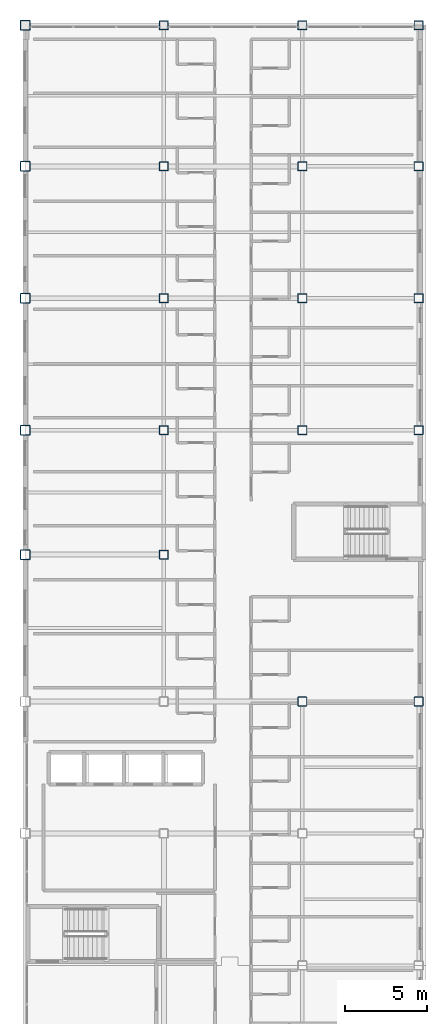
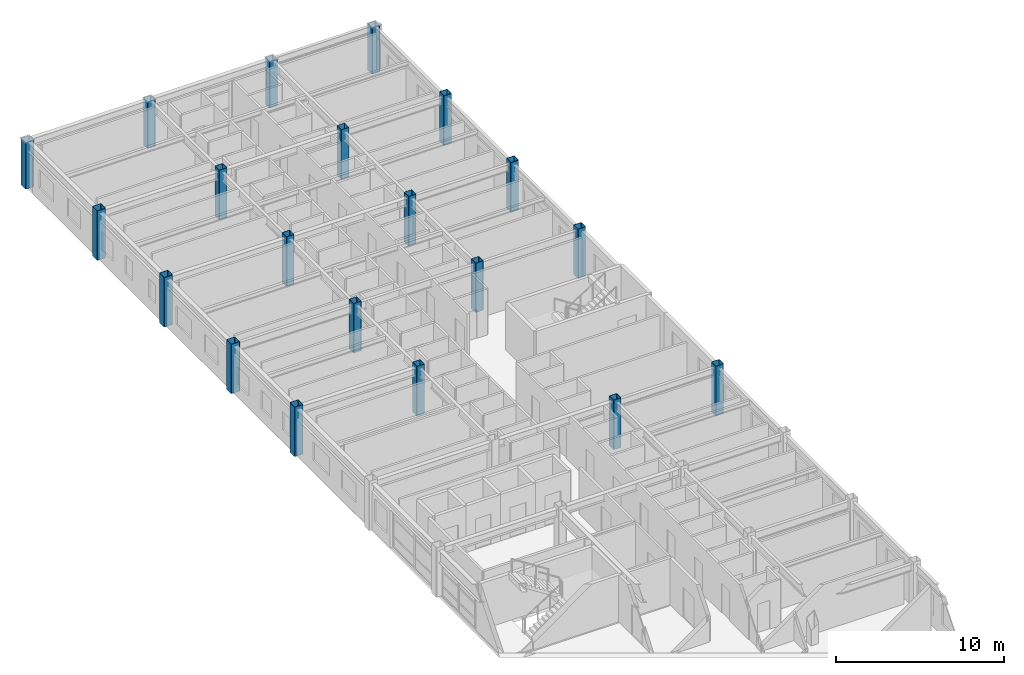
# One storey, part 2 of 36: 20 columns.
"""IFC4 building model written with IfcOpenShell, lengths in metres."""

from ifc_helpers import new_model, si_unit, direction, frame, origin, origin_2d, place, context, subcontext, project, spatial, hollow_rectangle, extrude, material, material_profile, profile_set, type_object, element, save


model = new_model("IFC4")

# Units and contexts
model_context = context("Model", 3, precision=1e-05, world=origin(), true_north=direction((0.0, 1.0)))
body_context = subcontext(model_context, "Body", "Model", "MODEL_VIEW")
ifc_project = project(units=[si_unit("LENGTHUNIT", "METRE"), si_unit("AREAUNIT", "SQUARE_METRE"), si_unit("VOLUMEUNIT", "CUBIC_METRE"), si_unit("PLANEANGLEUNIT", "RADIAN"), si_unit("MASSUNIT", "GRAM", prefix="KILO")], contexts=[model_context])

# Site, building, storey
site_placement = place(None, origin())
site = spatial("IfcSite", under=ifc_project, at=site_placement, CompositionType="ELEMENT")
building_placement = place(site_placement, origin())
building = spatial("IfcBuilding", under=site, at=building_placement, Name="Kazehara Bluff Congress Hotel", CompositionType="ELEMENT")
storey_placement = place(building_placement, frame((0.0, 0.0, 28.199951171875)))
storey = spatial("IfcBuildingStorey", under=building, at=storey_placement, Name="L06", CompositionType="ELEMENT", Elevation=28.199951171875)

# Columns
ifc_material_1 = material(Name="Steel BCR295", Category="steel")
ifc_material_profile_1 = material_profile(ifc_material_1, hollow_rectangle(XDim=0.60009765625, YDim=0.60009765625, WallThickness=0.02490234375, InnerFilletRadius=0.02490234375, OuterFilletRadius=0.050048828125, at=origin_2d()))
ifc_profile_set_1 = profile_set([ifc_material_profile_1], Name="Steel BCR295")
column_type_1 = type_object("IfcColumnType", Name="TP-C-05", PredefinedType="COLUMN", material=ifc_profile_set_1)
for number, where, z_axis, x_axis, name in (
    (1, (143.699951171875, 73.35009765625, 0.0), (0.0, 0.0, 1.0), (1.0, 0.0, 0.0), "L06 column C-05 (143.70,73.35)"),
    (2, (143.699951171875, 80.89990234375, 0.0), (0.0, 0.0, 1.0), (1.0, 0.0, 0.0), "L06 column C-05 (143.70,80.90)"),
    (3, (143.699951171875, 88.89990234375, 0.0), (0.0, 0.0, 1.0), (1.0, 0.0, 0.0), "L06 column C-05 (143.70,88.90)"),
    (4, (143.699951171875, 96.89990234375, 0.0), (0.0, 0.0, 1.0), (1.0, 0.0, 0.0), "L06 column C-05 (143.70,96.90)"),
):
    element("IfcColumn", number, at=place(storey_placement, frame(where, z_axis=z_axis, x_axis=x_axis)), inside=storey, type_object=column_type_1, Name=name, PredefinedType="COLUMN", context=body_context, shape_type="SweptSolid", body=[
        extrude(hollow_rectangle(XDim=0.60009765625, YDim=0.60009765625, WallThickness=0.02490234375, InnerFilletRadius=0.02490234375, OuterFilletRadius=0.050048828125, at=origin_2d()), origin(), (0.0, 0.0, 1.0), 3.60009765625),
    ])
column_1_placement = place(storey_placement, frame((143.699951171875, 105.449951171875, 0.0), z_axis=(0.0, 0.0, 1.0), x_axis=(1.0, 0.0, 0.0)))
element("IfcColumn", 5, at=column_1_placement, inside=storey, type_object=column_type_1, Name="L06 column C-05 (143.70,105.45)", PredefinedType="COLUMN", context=body_context, shape_type="SweptSolid", body=[
    extrude(hollow_rectangle(XDim=0.60009765625, YDim=0.60009765625, WallThickness=0.02490234375, InnerFilletRadius=0.02490234375, OuterFilletRadius=0.050048828125, at=origin_2d()), origin(), (0.0, 0.0, 1.0), 3.380126953125),
])
ifc_material_2 = material(Name="Steel BCR295", Category="steel")
ifc_material_profile_2 = material_profile(ifc_material_2, hollow_rectangle(XDim=0.550048828125, YDim=0.550048828125, WallThickness=0.02197265625, InnerFilletRadius=0.02197265625, OuterFilletRadius=0.0439453125, at=origin_2d()))
ifc_profile_set_2 = profile_set([ifc_material_profile_2], Name="Steel BCR295")
column_type_2 = type_object("IfcColumnType", Name="TP-C-06", PredefinedType="COLUMN", material=ifc_profile_set_2)
for number, where, z_axis, x_axis, name in (
    (6, (152.10009765625, 73.35009765625, 0.0), (0.0, 0.0, 1.0), (1.0, 0.0, 0.0), "L06 column C-06 (152.10,73.35)"),
    (7, (152.10009765625, 80.89990234375, 0.0), (0.0, 0.0, 1.0), (1.0, 0.0, 0.0), "L06 column C-06 (152.10,80.90)"),
    (8, (152.10009765625, 88.89990234375, 0.0), (0.0, 0.0, 1.0), (1.0, 0.0, 0.0), "L06 column C-06 (152.10,88.90)"),
    (9, (152.10009765625, 96.89990234375, 0.0), (0.0, 0.0, 1.0), (1.0, 0.0, 0.0), "L06 column C-06 (152.10,96.90)"),
):
    element("IfcColumn", number, at=place(storey_placement, frame(where, z_axis=z_axis, x_axis=x_axis)), inside=storey, type_object=column_type_2, Name=name, PredefinedType="COLUMN", context=body_context, shape_type="SweptSolid", body=[
        extrude(hollow_rectangle(XDim=0.550048828125, YDim=0.550048828125, WallThickness=0.02197265625, InnerFilletRadius=0.02197265625, OuterFilletRadius=0.0439453125, at=origin_2d()), origin(), (0.0, 0.0, 1.0), 3.60009765625),
    ])
column_2_placement = place(storey_placement, frame((152.10009765625, 105.449951171875, 0.0), z_axis=(0.0, 0.0, 1.0), x_axis=(1.0, 0.0, 0.0)))
element("IfcColumn", 10, at=column_2_placement, inside=storey, type_object=column_type_2, Name="L06 column C-06 (152.10,105.45)", PredefinedType="COLUMN", context=body_context, shape_type="SweptSolid", body=[
    extrude(hollow_rectangle(XDim=0.550048828125, YDim=0.550048828125, WallThickness=0.02197265625, InnerFilletRadius=0.02197265625, OuterFilletRadius=0.0439453125, at=origin_2d()), origin(), (0.0, 0.0, 1.0), 3.380126953125),
])
for number, where, z_axis, x_axis, name in (
    (11, (160.5, 64.449951171875, 0.0), (0.0, 0.0, 1.0), (1.0, 0.0, 0.0), "L06 column C-06 (160.50,64.45)"),
    (12, (160.5, 80.89990234375, 0.0), (0.0, 0.0, 1.0), (1.0, 0.0, 0.0), "L06 column C-06 (160.50,80.90)"),
    (13, (160.5, 88.89990234375, 0.0), (0.0, 0.0, 1.0), (1.0, 0.0, 0.0), "L06 column C-06 (160.50,88.90)"),
    (14, (160.5, 96.89990234375, 0.0), (0.0, 0.0, 1.0), (1.0, 0.0, 0.0), "L06 column C-06 (160.50,96.90)"),
):
    element("IfcColumn", number, at=place(storey_placement, frame(where, z_axis=z_axis, x_axis=x_axis)), inside=storey, type_object=column_type_2, Name=name, PredefinedType="COLUMN", context=body_context, shape_type="SweptSolid", body=[
        extrude(hollow_rectangle(XDim=0.550048828125, YDim=0.550048828125, WallThickness=0.02197265625, InnerFilletRadius=0.02197265625, OuterFilletRadius=0.0439453125, at=origin_2d()), origin(), (0.0, 0.0, 1.0), 3.60009765625),
    ])
column_3_placement = place(storey_placement, frame((160.5, 105.449951171875, 0.0), z_axis=(0.0, 0.0, 1.0), x_axis=(1.0, 0.0, 0.0)))
element("IfcColumn", 15, at=column_3_placement, inside=storey, type_object=column_type_2, Name="L06 column C-06 (160.50,105.45)", PredefinedType="COLUMN", context=body_context, shape_type="SweptSolid", body=[
    extrude(hollow_rectangle(XDim=0.550048828125, YDim=0.550048828125, WallThickness=0.02197265625, InnerFilletRadius=0.02197265625, OuterFilletRadius=0.0439453125, at=origin_2d()), origin(), (0.0, 0.0, 1.0), 3.380126953125),
])
for number, where, z_axis, x_axis, name in (
    (16, (167.550048828125, 64.449951171875, 0.0), (0.0, 0.0, 1.0), (1.0, 0.0, 0.0), "L06 column C-06 (167.55,64.45)"),
    (17, (167.550048828125, 80.89990234375, 0.0), (0.0, 0.0, 1.0), (1.0, 0.0, 0.0), "L06 column C-06 (167.55,80.90)"),
    (18, (167.550048828125, 88.89990234375, 0.0), (0.0, 0.0, 1.0), (1.0, 0.0, 0.0), "L06 column C-06 (167.55,88.90)"),
    (19, (167.550048828125, 96.89990234375, 0.0), (0.0, 0.0, 1.0), (1.0, 0.0, 0.0), "L06 column C-06 (167.55,96.90)"),
):
    element("IfcColumn", number, at=place(storey_placement, frame(where, z_axis=z_axis, x_axis=x_axis)), inside=storey, type_object=column_type_2, Name=name, PredefinedType="COLUMN", context=body_context, shape_type="SweptSolid", body=[
        extrude(hollow_rectangle(XDim=0.550048828125, YDim=0.550048828125, WallThickness=0.02197265625, InnerFilletRadius=0.02197265625, OuterFilletRadius=0.0439453125, at=origin_2d()), origin(), (0.0, 0.0, 1.0), 3.60009765625),
    ])
column_4_placement = place(storey_placement, frame((167.550048828125, 105.449951171875, 0.0), z_axis=(0.0, 0.0, 1.0), x_axis=(1.0, 0.0, 0.0)))
element("IfcColumn", 20, at=column_4_placement, inside=storey, type_object=column_type_2, Name="L06 column C-06 (167.55,105.45)", PredefinedType="COLUMN", context=body_context, shape_type="SweptSolid", body=[
    extrude(hollow_rectangle(XDim=0.550048828125, YDim=0.550048828125, WallThickness=0.02197265625, InnerFilletRadius=0.02197265625, OuterFilletRadius=0.0439453125, at=origin_2d()), origin(), (0.0, 0.0, 1.0), 3.380126953125),
])

save(model, "model.ifc")
